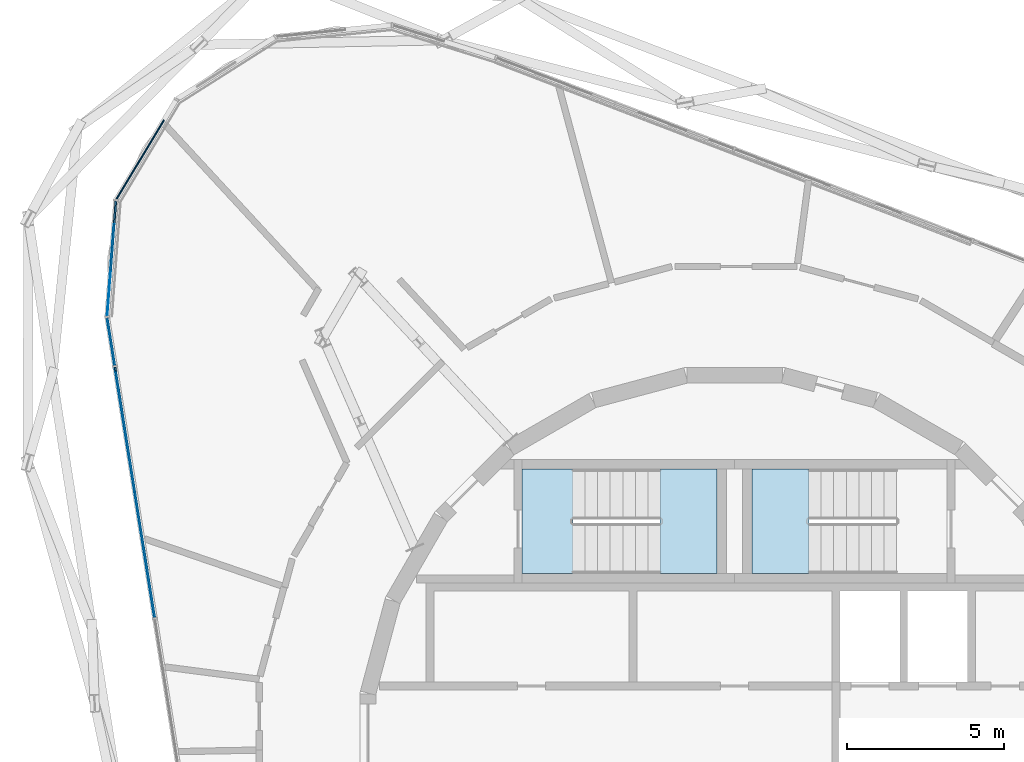
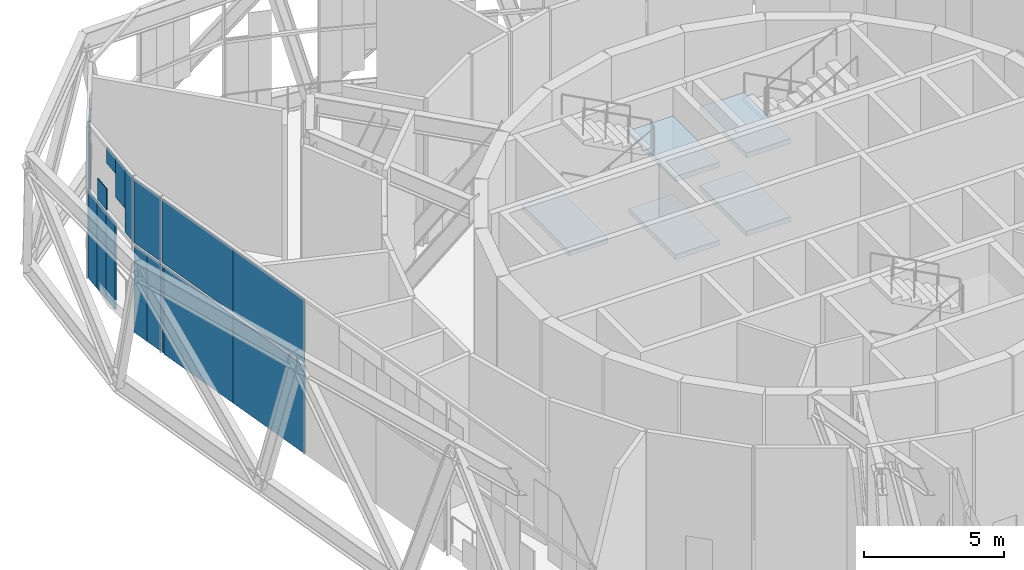
# One storey, part 14 of 25: 23 plates, 5 slabs, 4 elements without a shape of their own.
"""IFC4 building model written with IfcOpenShell, lengths in metres."""

from ifc_helpers import new_model, si_unit, direction, frame, origin, origin_2d, place, context, subcontext, project, spatial, polyline, rectangle, outline, extrude, material, layer, layer_set, type_object, element, aggregate, save


model = new_model("IFC4")

# Units and contexts
model_context = context("Model", 3, precision=1e-05, world=origin(), true_north=direction((0.0, 1.0)))
body_context = subcontext(model_context, "Body", "Model", "MODEL_VIEW")
ifc_project = project(units=[si_unit("LENGTHUNIT", "METRE"), si_unit("AREAUNIT", "SQUARE_METRE"), si_unit("VOLUMEUNIT", "CUBIC_METRE"), si_unit("PLANEANGLEUNIT", "RADIAN"), si_unit("MASSUNIT", "GRAM", prefix="KILO")], contexts=[model_context])

# Site, building, storey
site_placement = place(None, origin())
site = spatial("IfcSite", under=ifc_project, at=site_placement, CompositionType="ELEMENT")
building_placement = place(site_placement, origin())
building = spatial("IfcBuilding", under=site, at=building_placement, Name="Spindle Arch Residences", CompositionType="ELEMENT")
storey_placement = place(building_placement, frame((0.0, 0.0, 291.39990234375)))
storey = spatial("IfcBuildingStorey", under=building, at=storey_placement, Name="L75", CompositionType="ELEMENT", Elevation=291.39990234375)

# Stair, slabs
ifc_material_1 = material(Name="Concrete C50/60", Category="concrete")
stair_type = type_object("IfcStairType", Name="Exit stair 32 risers", PredefinedType="HALF_TURN_STAIR", material=ifc_material_1)
stair_1_placement = place(storey_placement, origin())
stair_1 = element("IfcStair", 1, at=stair_1_placement, inside=storey, type_object=stair_type, Name="L75 Exit stair ST1", PredefinedType="HALF_TURN_STAIR")
ifc_material_2 = material(Name="Concrete C50/60", Category="concrete")
ifc_layer_1 = layer(ifc_material_2, 0.219970703125)
ifc_layer_set_1 = layer_set([ifc_layer_1], Name="Exit stair landing 220")
slab_type = type_object("IfcSlabType", Name="Exit stair landing 220", PredefinedType="LANDING", material=ifc_layer_set_1)
slab_1_placement = place(storey_placement, frame((0.0, 0.0, 1.47998046875)))
slab_1 = element("IfcSlab", 2, at=slab_1_placement, type_object=slab_type, Name="ST1 landing 1", PredefinedType="LANDING", context=body_context, shape_type="SweptSolid", body=[
    extrude(outline(polyline([(2.3701171875, 8.669921875), (0.550048828125, 8.669921875), (0.550048828125, 5.35009765625), (2.3701171875, 5.35009765625), (2.3701171875, 8.669921875)])), origin(), (0.0, 0.0, 1.0), 0.22021484375),
])
slab_2_placement = place(storey_placement, frame((0.0, 0.0, 4.880126953125)))
slab_2 = element("IfcSlab", 3, at=slab_2_placement, type_object=slab_type, Name="ST1 landing 3", PredefinedType="LANDING", context=body_context, shape_type="SweptSolid", body=[
    extrude(outline(polyline([(2.3701171875, 8.669921875), (0.550048828125, 8.669921875), (0.550048828125, 5.35009765625), (2.3701171875, 5.35009765625), (2.3701171875, 8.669921875)])), origin(), (0.0, 0.0, 1.0), 0.219970703125),
])
aggregate(stair_1, [slab_1, slab_2])

stair_2_placement = place(storey_placement, origin())
stair_2 = element("IfcStair", 4, at=stair_2_placement, inside=storey, type_object=stair_type, Name="L75 Exit stair ST2", PredefinedType="HALF_TURN_STAIR")
slab_3_placement = place(storey_placement, frame((0.0, 0.0, 1.47998046875)))
slab_3 = element("IfcSlab", 5, at=slab_3_placement, type_object=slab_type, Name="ST2 landing 1", PredefinedType="LANDING", context=body_context, shape_type="SweptSolid", body=[
    extrude(outline(polyline([(-2.3701171875, 5.35009765625), (-0.550048828125, 5.35009765625), (-0.550048828125, 8.669921875), (-2.3701171875, 8.669921875), (-2.3701171875, 5.35009765625)])), origin(), (0.0, 0.0, 1.0), 0.22021484375),
])
slab_4_placement = place(storey_placement, frame((0.0, 0.0, 3.18017578125)))
slab_4 = element("IfcSlab", 6, at=slab_4_placement, type_object=slab_type, Name="ST2 landing 2", PredefinedType="LANDING", context=body_context, shape_type="SweptSolid", body=[
    extrude(outline(polyline([(-6.75, 5.35009765625), (-5.1298828125, 5.35009765625), (-5.1298828125, 8.669921875), (-6.75, 8.669921875), (-6.75, 5.35009765625)])), origin(), (0.0, 0.0, 1.0), 0.219970703125),
])
slab_5_placement = place(storey_placement, frame((0.0, 0.0, 4.880126953125)))
slab_5 = element("IfcSlab", 7, at=slab_5_placement, type_object=slab_type, Name="ST2 landing 3", PredefinedType="LANDING", context=body_context, shape_type="SweptSolid", body=[
    extrude(outline(polyline([(-2.3701171875, 5.35009765625), (-0.550048828125, 5.35009765625), (-0.550048828125, 8.669921875), (-2.3701171875, 8.669921875), (-2.3701171875, 5.35009765625)])), origin(), (0.0, 0.0, 1.0), 0.219970703125),
])
aggregate(stair_2, [slab_3, slab_4, slab_5])

# Curtain wall, plates
ifc_material_3 = material(Name="Aluminium bronze unitised frame with tinted glass", Category="aluminium")
ifc_layer_2 = layer(ifc_material_3, 0.159912109375)
ifc_layer_set_2 = layer_set([ifc_layer_2], Name="CW-E double-height winter garden wall")
curtain_wall_type = type_object("IfcCurtainWallType", Name="CW-E double-height winter garden wall", PredefinedType="NOTDEFINED", material=ifc_layer_set_2)
curtain_wall_1_placement = place(storey_placement, origin())
curtain_wall_1 = element("IfcCurtainWall", 8, at=curtain_wall_1_placement, inside=storey, type_object=curtain_wall_type, Name="CW-E L75 run 3", PredefinedType="NOTDEFINED")
ifc_material_4 = material(Name="Tinted laminated glass 28 mm", Category="glass")
ifc_layer_3 = layer(ifc_material_4, 0.028076171875)
ifc_layer_set_3 = layer_set([ifc_layer_3], Name="Tinted glass panel 28 mm")
plate_type_1 = type_object("IfcPlateType", Name="Tinted glass panel 28 mm", PredefinedType="CURTAIN_PANEL", material=ifc_layer_set_3)
plate_1_placement = place(storey_placement, frame((-18.314208984375, 19.4384765625, 3.460205078125), z_axis=(0.0, 0.0, 1.0), x_axis=(-0.515038072875, -0.857167301925, 0.0)))
plate_1 = element("IfcPlate", 9, at=plate_1_placement, type_object=plate_type_1, Name="CW-E panel 03b.1", PredefinedType="CURTAIN_PANEL", context=body_context, shape_type="SweptSolid", body=[
    extrude(rectangle(XDim=0.7333984375, YDim=0.028076171875, at=origin_2d()), origin(), (0.0, 0.0, 1.0), 2.0458984375),
])
plate_2_placement = place(storey_placement, frame((-18.692138671875, 18.809814453125, 3.460205078125), z_axis=(0.0, 0.0, 1.0), x_axis=(-0.515038072875, -0.857167301925, 0.0)))
plate_2 = element("IfcPlate", 10, at=plate_2_placement, type_object=plate_type_1, Name="CW-E panel 03b.2", PredefinedType="CURTAIN_PANEL", context=body_context, shape_type="SweptSolid", body=[
    extrude(rectangle(XDim=0.7333984375, YDim=0.028076171875, at=origin_2d()), origin(), (0.0, 0.0, 1.0), 2.0458984375),
])
plate_3_placement = place(storey_placement, frame((-19.06982421875, 18.18115234375, 3.460205078125), z_axis=(0.0, 0.0, 1.0), x_axis=(-0.515038072875, -0.857167301925, 0.0)))
plate_3 = element("IfcPlate", 11, at=plate_3_placement, type_object=plate_type_1, Name="CW-E panel 03b.3", PredefinedType="CURTAIN_PANEL", context=body_context, shape_type="SweptSolid", body=[
    extrude(rectangle(XDim=0.7333984375, YDim=0.028076171875, at=origin_2d()), origin(), (0.0, 0.0, 1.0), 2.0458984375),
])
plate_4_placement = place(storey_placement, frame((-19.447509765625, 17.552734375, 3.460205078125), z_axis=(0.0, 0.0, 1.0), x_axis=(-0.515038072875, -0.857167301925, 0.0)))
plate_4 = element("IfcPlate", 12, at=plate_4_placement, type_object=plate_type_1, Name="CW-E panel 03b.4", PredefinedType="CURTAIN_PANEL", context=body_context, shape_type="SweptSolid", body=[
    extrude(rectangle(XDim=0.7333984375, YDim=0.028076171875, at=origin_2d()), origin(), (0.0, 0.0, 1.0), 2.0458984375),
])
plate_5_placement = place(storey_placement, frame((-19.73828125, 16.0703125, 3.4599609375), z_axis=(0.0, 0.0, 1.0), x_axis=(-0.07555884997, -0.997141344139, 0.0)))
plate_5 = element("IfcPlate", 13, at=plate_5_placement, type_object=plate_type_1, Name="CW-E panel 04b.1", PredefinedType="CURTAIN_PANEL", context=body_context, shape_type="SweptSolid", body=[
    extrude(rectangle(XDim=0.74365234375, YDim=0.028076171875, at=origin_2d()), origin(), (0.0, 0.0, 1.0), 0.923828125),
])
plate_6_placement = place(storey_placement, frame((-19.79443359375, 15.328857421875, 5.50634765625), z_axis=(0.0, 0.0, 1.0), x_axis=(-0.07555884997, -0.997141344139, 0.0)))
plate_6 = element("IfcPlate", 14, at=plate_6_placement, type_object=plate_type_1, Name="CW-E panel 04b.2", PredefinedType="CURTAIN_PANEL", context=body_context, shape_type="SweptSolid", body=[
    extrude(rectangle(XDim=0.74365234375, YDim=0.028076171875, at=origin_2d()), origin(), (0.0, 0.0, 1.0), 0.7236328125),
])
plate_7_placement = place(storey_placement, frame((-19.8505859375, 14.587158203125, 4.4833984375), z_axis=(0.0, 0.0, 1.0), x_axis=(-0.07555884997, -0.997141344139, 0.0)))
plate_7 = element("IfcPlate", 15, at=plate_7_placement, type_object=plate_type_1, Name="CW-E panel 04b.3", PredefinedType="CURTAIN_PANEL", context=body_context, shape_type="SweptSolid", body=[
    extrude(rectangle(XDim=0.74365234375, YDim=0.028076171875, at=origin_2d()), origin(), (0.0, 0.0, 1.0), 1.746826171875),
])
plate_8_placement = place(storey_placement, frame((-19.905029296875, 13.871337890625, 3.460205078125), z_axis=(0.0, 0.0, 1.0), x_axis=(-0.07555884997, -0.997141344139, 0.0)))
plate_8 = element("IfcPlate", 16, at=plate_8_placement, type_object=plate_type_1, Name="CW-E panel 04b.4", PredefinedType="CURTAIN_PANEL", context=body_context, shape_type="SweptSolid", body=[
    extrude(rectangle(XDim=0.692138671875, YDim=0.028076171875, at=origin_2d()), origin(), (0.0, 0.0, 1.0), 2.77001953125),
])
plate_9_placement = place(storey_placement, frame((-19.809326171875, 12.7138671875, 3.460205078125), z_axis=(0.0, 0.0, 1.0), x_axis=(0.15643446504, -0.987688340595, 0.0)))
plate_9 = element("IfcPlate", 17, at=plate_9_placement, type_object=plate_type_1, Name="CW-E unit 05b", PredefinedType="CURTAIN_PANEL", context=body_context, shape_type="SweptSolid", body=[
    extrude(rectangle(XDim=1.524658203125, YDim=0.028076171875, at=origin_2d()), origin(), (0.0, 0.0, 1.0), 2.77001953125),
])

curtain_wall_2_placement = place(storey_placement, origin())
curtain_wall_2 = element("IfcCurtainWall", 18, at=curtain_wall_2_placement, inside=storey, type_object=curtain_wall_type, Name="CW-E L75 run 4", PredefinedType="NOTDEFINED")
plate_10_placement = place(storey_placement, frame((-19.365966796875, 9.91455078125, 3.460205078125), z_axis=(0.0, 0.0, 1.0), x_axis=(0.15643446504, -0.987688340595, 0.0)))
plate_10 = element("IfcPlate", 19, at=plate_10_placement, type_object=plate_type_1, Name="CW-E unit 11Ab", PredefinedType="CURTAIN_PANEL", context=body_context, shape_type="SweptSolid", body=[
    extrude(rectangle(XDim=4.023681640625, YDim=0.028076171875, at=origin_2d()), origin(), (0.0, 0.0, 1.0), 2.77001953125),
])
plate_11_placement = place(storey_placement, frame((-18.736572265625, 5.9404296875, 3.460205078125), z_axis=(0.0, 0.0, 1.0), x_axis=(0.15643446504, -0.987688340595, 0.0)))
plate_11 = element("IfcPlate", 20, at=plate_11_placement, type_object=plate_type_1, Name="CW-E unit 11Bb", PredefinedType="CURTAIN_PANEL", context=body_context, shape_type="SweptSolid", body=[
    extrude(rectangle(XDim=4.023681640625, YDim=0.028076171875, at=origin_2d()), origin(), (0.0, 0.0, 1.0), 2.77001953125),
])

# Plate
ifc_material_5 = material(Name="Tinted double glazing over aluminium faced non-combustible spandrel zone (K0)", Category="aluminium")
ifc_layer_4 = layer(ifc_material_5, 0.06005859375)
ifc_layer_set_4 = layer_set([ifc_layer_4], Name="Unitised glass panel with E 60 spandrel zone")
plate_type_2 = type_object("IfcPlateType", Name="Unitised glass panel with E 60 spandrel zone", PredefinedType="CURTAIN_PANEL", material=ifc_layer_set_4)
plate_12_placement = place(storey_placement, frame((-18.314208984375, 19.4384765625, 2.37158203125), z_axis=(0.0, 0.0, 1.0), x_axis=(-0.515038072875, -0.857167301925, 0.0)))
plate_12 = element("IfcPlate", 21, at=plate_12_placement, type_object=plate_type_2, Name="CW-E panel 03a.1", PredefinedType="CURTAIN_PANEL", context=body_context, shape_type="SweptSolid", body=[
    extrude(rectangle(XDim=0.7333984375, YDim=0.06005859375, at=origin_2d()), origin(), (0.0, 0.0, 1.0), 0.968505859375),
])

plate_13_placement = place(storey_placement, frame((-18.692138671875, 18.809814453125, 1.19775390625), z_axis=(0.0, 0.0, 1.0), x_axis=(-0.515038072875, -0.857167301925, 0.0)))
plate_13 = element("IfcPlate", 22, at=plate_13_placement, type_object=plate_type_2, Name="CW-E panel 03a.2", PredefinedType="CURTAIN_PANEL", context=body_context, shape_type="SweptSolid", body=[
    extrude(rectangle(XDim=0.7333984375, YDim=0.06005859375, at=origin_2d()), origin(), (0.0, 0.0, 1.0), 2.142333984375),
])

plate_14_placement = place(storey_placement, frame((-19.06982421875, 18.18115234375, 0.024169921875), z_axis=(0.0, 0.0, 1.0), x_axis=(-0.515038072875, -0.857167301925, 0.0)))
plate_14 = element("IfcPlate", 23, at=plate_14_placement, type_object=plate_type_2, Name="CW-E panel 03a.3", PredefinedType="CURTAIN_PANEL", context=body_context, shape_type="SweptSolid", body=[
    extrude(rectangle(XDim=0.7333984375, YDim=0.06005859375, at=origin_2d()), origin(), (0.0, 0.0, 1.0), 3.31591796875),
])

plate_15_placement = place(storey_placement, frame((-19.447509765625, 17.552734375, -0.419921875), z_axis=(0.0, 0.0, 1.0), x_axis=(-0.515038072875, -0.857167301925, 0.0)))
plate_15 = element("IfcPlate", 24, at=plate_15_placement, type_object=plate_type_2, Name="CW-E panel 03a.4", PredefinedType="CURTAIN_PANEL", context=body_context, shape_type="SweptSolid", body=[
    extrude(rectangle(XDim=0.7333984375, YDim=0.06005859375, at=origin_2d()), origin(), (0.0, 0.0, 1.0), 3.760009765625),
])

plate_16_placement = place(storey_placement, frame((-19.681640625, 16.817138671875, -0.419921875), z_axis=(0.0, 0.0, 1.0), x_axis=(-0.07555884997, -0.997141344139, 0.0)))
plate_16 = element("IfcPlate", 25, at=plate_16_placement, type_object=plate_type_2, Name="CW-E panel 04a.1", PredefinedType="CURTAIN_PANEL", context=body_context, shape_type="SweptSolid", body=[
    extrude(rectangle(XDim=0.7333984375, YDim=0.06005859375, at=origin_2d()), origin(), (0.0, 0.0, 1.0), 3.760009765625),
])

plate_17_placement = place(storey_placement, frame((-19.737060546875, 16.085693359375, -0.419921875), z_axis=(0.0, 0.0, 1.0), x_axis=(-0.07555884997, -0.997141344139, 0.0)))
plate_17 = element("IfcPlate", 26, at=plate_17_placement, type_object=plate_type_2, Name="CW-E panel 04a.2", PredefinedType="CURTAIN_PANEL", context=body_context, shape_type="SweptSolid", body=[
    extrude(rectangle(XDim=0.7333984375, YDim=0.06005859375, at=origin_2d()), origin(), (0.0, 0.0, 1.0), 3.760009765625),
])

plate_18_placement = place(storey_placement, frame((-19.79248046875, 15.3544921875, -0.419921875), z_axis=(0.0, 0.0, 1.0), x_axis=(-0.07555884997, -0.997141344139, 0.0)))
plate_18 = element("IfcPlate", 27, at=plate_18_placement, type_object=plate_type_2, Name="CW-E panel 04a.3", PredefinedType="CURTAIN_PANEL", context=body_context, shape_type="SweptSolid", body=[
    extrude(rectangle(XDim=0.7333984375, YDim=0.06005859375, at=origin_2d()), origin(), (0.0, 0.0, 1.0), 3.760009765625),
])

plate_19_placement = place(storey_placement, frame((-19.868896484375, 13.09033203125, -0.419921875), z_axis=(0.0, 0.0, 1.0), x_axis=(0.15643446504, -0.987688340595, 0.0)))
plate_19 = element("IfcPlate", 28, at=plate_19_placement, type_object=plate_type_2, Name="CW-E panel 05a.1", PredefinedType="CURTAIN_PANEL", context=body_context, shape_type="SweptSolid", body=[
    extrude(rectangle(XDim=0.762451171875, YDim=0.06005859375, at=origin_2d()), origin(), (0.0, 0.0, 1.0), 3.760009765625),
])

plate_20_placement = place(storey_placement, frame((-19.749755859375, 12.33740234375, -0.419921875), z_axis=(0.0, 0.0, 1.0), x_axis=(0.15643446504, -0.987688340595, 0.0)))
plate_20 = element("IfcPlate", 29, at=plate_20_placement, type_object=plate_type_2, Name="CW-E panel 05a.2", PredefinedType="CURTAIN_PANEL", context=body_context, shape_type="SweptSolid", body=[
    extrude(rectangle(XDim=0.762451171875, YDim=0.06005859375, at=origin_2d()), origin(), (0.0, 0.0, 1.0), 3.760009765625),
])

aggregate(curtain_wall_1, [plate_12, plate_13, plate_14, plate_15, plate_1, plate_2, plate_3, plate_4, plate_16, plate_17, plate_18, plate_5, plate_6, plate_7, plate_8, plate_19, plate_20, plate_9])

plate_21_placement = place(storey_placement, frame((-19.670654296875, 11.83837890625, -0.42138671875), z_axis=(0.0, 0.0, 1.0), x_axis=(0.15643446504, -0.987688340595, 0.0)))
plate_21 = element("IfcPlate", 30, at=plate_21_placement, type_object=plate_type_2, Name="CW-E panel 11Aa.1", PredefinedType="CURTAIN_PANEL", context=body_context, shape_type="SweptSolid", body=[
    extrude(rectangle(XDim=0.128173828125, YDim=0.06005859375, at=origin_2d()), origin(), (0.0, 0.0, 1.0), 3.761474609375),
])

plate_22_placement = place(storey_placement, frame((-19.35595703125, 9.851318359375, -0.449951171875), z_axis=(0.0, 0.0, 1.0), x_axis=(0.15643446504, -0.987688340595, 0.0)))
plate_22 = element("IfcPlate", 31, at=plate_22_placement, type_object=plate_type_2, Name="CW-E panel 11Aa.2", PredefinedType="CURTAIN_PANEL", context=body_context, shape_type="SweptSolid", body=[
    extrude(rectangle(XDim=3.895751953125, YDim=0.06005859375, at=origin_2d()), origin(), (0.0, 0.0, 1.0), 3.7900390625),
])

plate_23_placement = place(storey_placement, frame((-18.736572265625, 5.9404296875, -0.449951171875), z_axis=(0.0, 0.0, 1.0), x_axis=(0.15643446504, -0.987688340595, 0.0)))
plate_23 = element("IfcPlate", 32, at=plate_23_placement, type_object=plate_type_2, Name="CW-E unit 11Ba", PredefinedType="CURTAIN_PANEL", context=body_context, shape_type="SweptSolid", body=[
    extrude(rectangle(XDim=4.023681640625, YDim=0.06005859375, at=origin_2d()), origin(), (0.0, 0.0, 1.0), 3.7900390625),
])

aggregate(curtain_wall_2, [plate_21, plate_22, plate_10, plate_23, plate_11])

save(model, "model.ifc")
